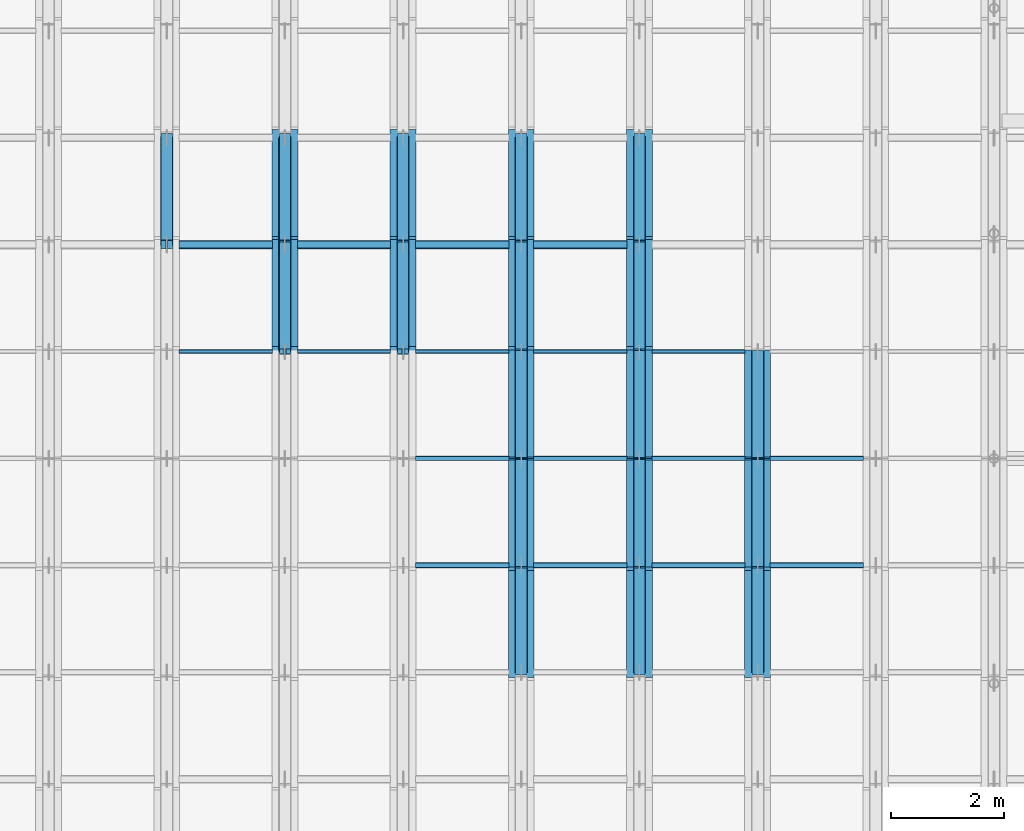
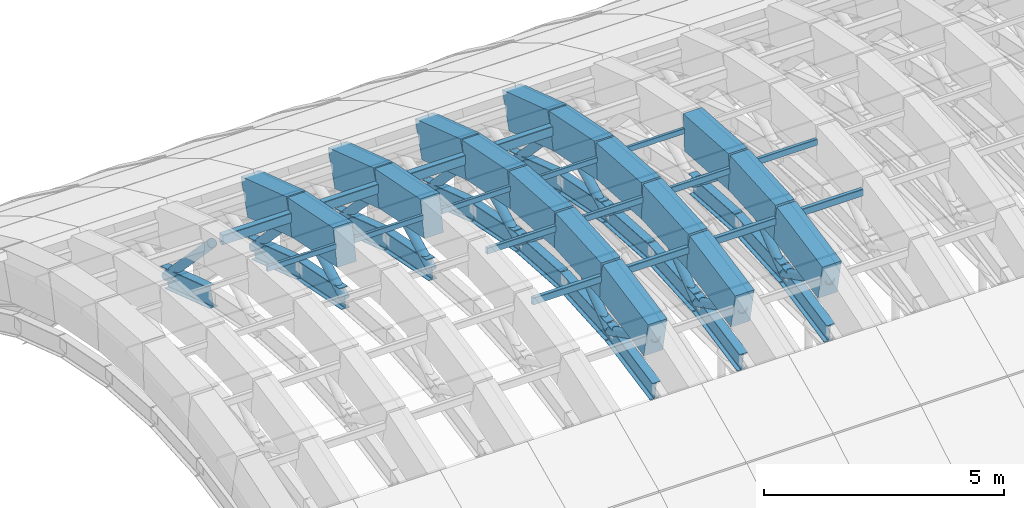
# One storey, part 12 of 67: 35 beams, 35 members.
"""IFC4 building model written with IfcOpenShell, lengths in metres."""

from ifc_helpers import new_model, si_unit, direction, frame, origin, origin_2d, place, context, subcontext, project, spatial, rectangle, hollow_rectangle, hollow_circle, i_section, extrude, material, material_profile, profile_set, type_object, element, save


model = new_model("IFC4")

# Units and contexts
model_context = context("Model", 3, precision=1e-05, world=origin(), true_north=direction((0.0, 1.0)))
body_context = subcontext(model_context, "Body", "Model", "MODEL_VIEW")
ifc_project = project(units=[si_unit("LENGTHUNIT", "METRE"), si_unit("AREAUNIT", "SQUARE_METRE"), si_unit("VOLUMEUNIT", "CUBIC_METRE"), si_unit("PLANEANGLEUNIT", "RADIAN"), si_unit("MASSUNIT", "GRAM", prefix="KILO")], contexts=[model_context])

# Site, building, storey
site_placement = place(None, origin())
site = spatial("IfcSite", under=ifc_project, at=site_placement, CompositionType="ELEMENT")
building_placement = place(site_placement, origin())
building = spatial("IfcBuilding", under=site, at=building_placement, Name="Shengluoqiao Park Theatre", CompositionType="ELEMENT")
storey_placement = place(building_placement, frame((0.0, 0.0, 28.60009765625)))
storey = spatial("IfcBuildingStorey", under=building, at=storey_placement, Name="Roof", CompositionType="ELEMENT", Elevation=28.60009765625)

# Beams
ifc_material_1 = material(Name="Concrete C50", Category="concrete")
ifc_material_profile_1 = material_profile(ifc_material_1, rectangle(XDim=0.4599609375, YDim=0.919921875, at=origin_2d()), Name="RC ARCH 460x920")
ifc_profile_set_1 = profile_set([ifc_material_profile_1], Name="Concrete C50")
beam_type_1 = type_object("IfcBeamType", Name="STR-BM-AR-4609", PredefinedType="BEAM", material=ifc_profile_set_1)
beam_1_placement = place(storey_placement, frame((50.699951171875, 96.89990234375, 2.453857421875), z_axis=(0.0, 0.980788534345, -0.195073962632), x_axis=(-1.0, 0.0, 0.0)))
element("IfcBeam", 1, at=beam_1_placement, inside=storey, type_object=beam_type_1, Name="Barrel-Shell Arch Rib R04-S12", PredefinedType="BEAM", context=body_context, shape_type="SweptSolid", body=[
    extrude(rectangle(XDim=0.4599609375, YDim=0.919921875, at=origin_2d()), origin(), (0.0, 0.0, 1.0), 1.937255859375),
])
beam_2_placement = place(storey_placement, frame((50.699951171875, 98.800048828125, 2.075927734375), z_axis=(0.0, 0.949157901431, -0.314800378257), x_axis=(-1.0, 0.0, 0.0)))
element("IfcBeam", 2, at=beam_2_placement, inside=storey, type_object=beam_type_1, Name="Barrel-Shell Arch Rib R04-S13", PredefinedType="BEAM", context=body_context, shape_type="SweptSolid", body=[
    extrude(rectangle(XDim=0.4599609375, YDim=0.919921875, at=origin_2d()), origin(), (0.0, 0.0, 1.0), 2.001708984375),
])
beam_3_placement = place(storey_placement, frame((52.800048828125, 96.89990234375, 2.453857421875), z_axis=(0.0, 0.980788534345, -0.195073962632), x_axis=(-1.0, 0.0, 0.0)))
element("IfcBeam", 3, at=beam_3_placement, inside=storey, type_object=beam_type_1, Name="Barrel-Shell Arch Rib R05-S12", PredefinedType="BEAM", context=body_context, shape_type="SweptSolid", body=[
    extrude(rectangle(XDim=0.4599609375, YDim=0.919921875, at=origin_2d()), origin(), (0.0, 0.0, 1.0), 1.937255859375),
])
beam_4_placement = place(storey_placement, frame((52.800048828125, 98.800048828125, 2.075927734375), z_axis=(0.0, 0.949157901431, -0.314800378257), x_axis=(-1.0, 0.0, 0.0)))
element("IfcBeam", 4, at=beam_4_placement, inside=storey, type_object=beam_type_1, Name="Barrel-Shell Arch Rib R05-S13", PredefinedType="BEAM", context=body_context, shape_type="SweptSolid", body=[
    extrude(rectangle(XDim=0.4599609375, YDim=0.919921875, at=origin_2d()), origin(), (0.0, 0.0, 1.0), 2.001708984375),
])
beam_5_placement = place(storey_placement, frame((54.89990234375, 91.199951171875, 2.075927734375), z_axis=(0.0, 0.980788534345, 0.195073962632), x_axis=(-1.0, 0.0, 0.0)))
element("IfcBeam", 5, at=beam_5_placement, inside=storey, type_object=beam_type_1, Name="Barrel-Shell Arch Rib R06-S09", PredefinedType="BEAM", context=body_context, shape_type="SweptSolid", body=[
    extrude(rectangle(XDim=0.4599609375, YDim=0.919921875, at=origin_2d()), origin(), (0.0, 0.0, 1.0), 1.937255859375),
])
for number, where, z_axis, x_axis, name in (
    (6, (54.89990234375, 93.10009765625, 2.453857421875), (0.0, 0.997808922354, 0.066161578506), (-1.0, 0.0, 0.0), "Barrel-Shell Arch Rib R06-S10"),
    (7, (54.89990234375, 95.0, 2.579833984375), (0.0, 0.997808922354, -0.066161578506), (-1.0, 0.0, 0.0), "Barrel-Shell Arch Rib R06-S11"),
):
    element("IfcBeam", number, at=place(storey_placement, frame(where, z_axis=z_axis, x_axis=x_axis)), inside=storey, type_object=beam_type_1, Name=name, PredefinedType="BEAM", context=body_context, shape_type="SweptSolid", body=[
        extrude(rectangle(XDim=0.4599609375, YDim=0.919921875, at=origin_2d()), origin(), (0.0, 0.0, 1.0), 1.904052734375),
    ])
beam_6_placement = place(storey_placement, frame((54.89990234375, 96.89990234375, 2.453857421875), z_axis=(0.0, 0.980788534345, -0.195073962632), x_axis=(-1.0, 0.0, 0.0)))
element("IfcBeam", 8, at=beam_6_placement, inside=storey, type_object=beam_type_1, Name="Barrel-Shell Arch Rib R06-S12", PredefinedType="BEAM", context=body_context, shape_type="SweptSolid", body=[
    extrude(rectangle(XDim=0.4599609375, YDim=0.919921875, at=origin_2d()), origin(), (0.0, 0.0, 1.0), 1.937255859375),
])
beam_7_placement = place(storey_placement, frame((54.89990234375, 98.800048828125, 2.075927734375), z_axis=(0.0, 0.949157901431, -0.314800378257), x_axis=(-1.0, 0.0, 0.0)))
element("IfcBeam", 9, at=beam_7_placement, inside=storey, type_object=beam_type_1, Name="Barrel-Shell Arch Rib R06-S13", PredefinedType="BEAM", context=body_context, shape_type="SweptSolid", body=[
    extrude(rectangle(XDim=0.4599609375, YDim=0.919921875, at=origin_2d()), origin(), (0.0, 0.0, 1.0), 2.001708984375),
])
beam_8_placement = place(storey_placement, frame((57.0, 91.199951171875, 2.075927734375), z_axis=(0.0, 0.980788534345, 0.195073962632), x_axis=(-1.0, 0.0, 0.0)))
element("IfcBeam", 10, at=beam_8_placement, inside=storey, type_object=beam_type_1, Name="Barrel-Shell Arch Rib R07-S09", PredefinedType="BEAM", context=body_context, shape_type="SweptSolid", body=[
    extrude(rectangle(XDim=0.4599609375, YDim=0.919921875, at=origin_2d()), origin(), (0.0, 0.0, 1.0), 1.937255859375),
])
for number, where, z_axis, x_axis, name in (
    (11, (57.0, 93.10009765625, 2.453857421875), (0.0, 0.997808922354, 0.066161578506), (-1.0, 0.0, 0.0), "Barrel-Shell Arch Rib R07-S10"),
    (12, (57.0, 95.0, 2.579833984375), (0.0, 0.997808922354, -0.066161578506), (-1.0, 0.0, 0.0), "Barrel-Shell Arch Rib R07-S11"),
):
    element("IfcBeam", number, at=place(storey_placement, frame(where, z_axis=z_axis, x_axis=x_axis)), inside=storey, type_object=beam_type_1, Name=name, PredefinedType="BEAM", context=body_context, shape_type="SweptSolid", body=[
        extrude(rectangle(XDim=0.4599609375, YDim=0.919921875, at=origin_2d()), origin(), (0.0, 0.0, 1.0), 1.904052734375),
    ])
beam_9_placement = place(storey_placement, frame((57.0, 96.89990234375, 2.453857421875), z_axis=(0.0, 0.980788534345, -0.195073962632), x_axis=(-1.0, 0.0, 0.0)))
element("IfcBeam", 13, at=beam_9_placement, inside=storey, type_object=beam_type_1, Name="Barrel-Shell Arch Rib R07-S12", PredefinedType="BEAM", context=body_context, shape_type="SweptSolid", body=[
    extrude(rectangle(XDim=0.4599609375, YDim=0.919921875, at=origin_2d()), origin(), (0.0, 0.0, 1.0), 1.937255859375),
])
beam_10_placement = place(storey_placement, frame((57.0, 98.800048828125, 2.075927734375), z_axis=(0.0, 0.949157901431, -0.314800378257), x_axis=(-1.0, 0.0, 0.0)))
element("IfcBeam", 14, at=beam_10_placement, inside=storey, type_object=beam_type_1, Name="Barrel-Shell Arch Rib R07-S13", PredefinedType="BEAM", context=body_context, shape_type="SweptSolid", body=[
    extrude(rectangle(XDim=0.4599609375, YDim=0.919921875, at=origin_2d()), origin(), (0.0, 0.0, 1.0), 2.001708984375),
])
beam_11_placement = place(storey_placement, frame((59.10009765625, 91.199951171875, 2.075927734375), z_axis=(0.0, 0.980788534345, 0.195073962632), x_axis=(-1.0, 0.0, 0.0)))
element("IfcBeam", 15, at=beam_11_placement, inside=storey, type_object=beam_type_1, Name="Barrel-Shell Arch Rib R08-S09", PredefinedType="BEAM", context=body_context, shape_type="SweptSolid", body=[
    extrude(rectangle(XDim=0.4599609375, YDim=0.919921875, at=origin_2d()), origin(), (0.0, 0.0, 1.0), 1.937255859375),
])
for number, where, z_axis, x_axis, name in (
    (16, (59.10009765625, 93.10009765625, 2.453857421875), (0.0, 0.997808922354, 0.066161578506), (-1.0, 0.0, 0.0), "Barrel-Shell Arch Rib R08-S10"),
    (17, (59.10009765625, 95.0, 2.579833984375), (0.0, 0.997808922354, -0.066161578506), (-1.0, 0.0, 0.0), "Barrel-Shell Arch Rib R08-S11"),
):
    element("IfcBeam", number, at=place(storey_placement, frame(where, z_axis=z_axis, x_axis=x_axis)), inside=storey, type_object=beam_type_1, Name=name, PredefinedType="BEAM", context=body_context, shape_type="SweptSolid", body=[
        extrude(rectangle(XDim=0.4599609375, YDim=0.919921875, at=origin_2d()), origin(), (0.0, 0.0, 1.0), 1.904052734375),
    ])
ifc_material_2 = material(Name="Steel Q355", Category="steel")
ifc_material_profile_2 = material_profile(ifc_material_2, i_section(OverallWidth=0.199951171875, OverallDepth=0.5, WebThickness=0.010009765625, FlangeThickness=0.01611328125, FilletRadius=0.01806640625, at=origin_2d()), Name="HN 500x200x10x16")
ifc_profile_set_2 = profile_set([ifc_material_profile_2], Name="Steel Q355")
beam_type_2 = type_object("IfcBeamType", Name="STR-BM-J-HN500", PredefinedType="JOIST", material=ifc_profile_set_2)
beam_12_placement = place(storey_placement, frame((48.60009765625, 98.800048828125, 0.7158203125), z_axis=(0.0, 0.949194340043, -0.314690490531), x_axis=(-1.0, 0.0, 0.0)))
element("IfcBeam", 18, at=beam_12_placement, inside=storey, type_object=beam_type_2, Name="Barrel-Shell Lower Arch Chord R03-S13", PredefinedType="JOIST", context=body_context, shape_type="SweptSolid", body=[
    extrude(i_section(OverallWidth=0.199951171875, OverallDepth=0.5, WebThickness=0.010009765625, FlangeThickness=0.01611328125, FilletRadius=0.01806640625, at=origin_2d()), origin(), (0.0, 0.0, 1.0), 2.001708984375),
])
beam_13_placement = place(storey_placement, frame((50.699951171875, 96.89990234375, 1.093994140625), z_axis=(0.0, 0.980764417124, -0.19519517951), x_axis=(-1.0, 0.0, 0.0)))
element("IfcBeam", 19, at=beam_13_placement, inside=storey, type_object=beam_type_2, Name="Barrel-Shell Lower Arch Chord R04-S12", PredefinedType="JOIST", context=body_context, shape_type="SweptSolid", body=[
    extrude(i_section(OverallWidth=0.199951171875, OverallDepth=0.5, WebThickness=0.010009765625, FlangeThickness=0.01611328125, FilletRadius=0.01806640625, at=origin_2d()), origin(), (0.0, 0.0, 1.0), 1.9375),
])
beam_14_placement = place(storey_placement, frame((50.699951171875, 98.800048828125, 0.7158203125), z_axis=(0.0, 0.949194340043, -0.314690490531), x_axis=(-1.0, 0.0, 0.0)))
element("IfcBeam", 20, at=beam_14_placement, inside=storey, type_object=beam_type_2, Name="Barrel-Shell Lower Arch Chord R04-S13", PredefinedType="JOIST", context=body_context, shape_type="SweptSolid", body=[
    extrude(i_section(OverallWidth=0.199951171875, OverallDepth=0.5, WebThickness=0.010009765625, FlangeThickness=0.01611328125, FilletRadius=0.01806640625, at=origin_2d()), origin(), (0.0, 0.0, 1.0), 2.001708984375),
])
beam_15_placement = place(storey_placement, frame((52.800048828125, 96.89990234375, 1.093994140625), z_axis=(0.0, 0.980764417124, -0.19519517951), x_axis=(-1.0, 0.0, 0.0)))
element("IfcBeam", 21, at=beam_15_placement, inside=storey, type_object=beam_type_2, Name="Barrel-Shell Lower Arch Chord R05-S12", PredefinedType="JOIST", context=body_context, shape_type="SweptSolid", body=[
    extrude(i_section(OverallWidth=0.199951171875, OverallDepth=0.5, WebThickness=0.010009765625, FlangeThickness=0.01611328125, FilletRadius=0.01806640625, at=origin_2d()), origin(), (0.0, 0.0, 1.0), 1.9375),
])
beam_16_placement = place(storey_placement, frame((52.800048828125, 98.800048828125, 0.7158203125), z_axis=(0.0, 0.949194340043, -0.314690490531), x_axis=(-1.0, 0.0, 0.0)))
element("IfcBeam", 22, at=beam_16_placement, inside=storey, type_object=beam_type_2, Name="Barrel-Shell Lower Arch Chord R05-S13", PredefinedType="JOIST", context=body_context, shape_type="SweptSolid", body=[
    extrude(i_section(OverallWidth=0.199951171875, OverallDepth=0.5, WebThickness=0.010009765625, FlangeThickness=0.01611328125, FilletRadius=0.01806640625, at=origin_2d()), origin(), (0.0, 0.0, 1.0), 2.001708984375),
])
beam_17_placement = place(storey_placement, frame((54.89990234375, 91.199951171875, 0.7158203125), z_axis=(0.0, 0.980764417124, 0.19519517951), x_axis=(-1.0, 0.0, 0.0)))
element("IfcBeam", 23, at=beam_17_placement, inside=storey, type_object=beam_type_2, Name="Barrel-Shell Lower Arch Chord R06-S09", PredefinedType="JOIST", context=body_context, shape_type="SweptSolid", body=[
    extrude(i_section(OverallWidth=0.199951171875, OverallDepth=0.5, WebThickness=0.010009765625, FlangeThickness=0.01611328125, FilletRadius=0.01806640625, at=origin_2d()), origin(), (0.0, 0.0, 1.0), 1.9375),
])
for number, where, z_axis, x_axis, name in (
    (24, (54.89990234375, 93.10009765625, 1.093994140625), (0.0, 0.997808922354, 0.066161578506), (-1.0, 0.0, 0.0), "Barrel-Shell Lower Arch Chord R06-S10"),
    (25, (54.89990234375, 95.0, 1.219970703125), (0.0, 0.997808922354, -0.066161578506), (-1.0, 0.0, 0.0), "Barrel-Shell Lower Arch Chord R06-S11"),
):
    element("IfcBeam", number, at=place(storey_placement, frame(where, z_axis=z_axis, x_axis=x_axis)), inside=storey, type_object=beam_type_2, Name=name, PredefinedType="JOIST", context=body_context, shape_type="SweptSolid", body=[
        extrude(i_section(OverallWidth=0.199951171875, OverallDepth=0.5, WebThickness=0.010009765625, FlangeThickness=0.01611328125, FilletRadius=0.01806640625, at=origin_2d()), origin(), (0.0, 0.0, 1.0), 1.904052734375),
    ])
beam_18_placement = place(storey_placement, frame((54.89990234375, 96.89990234375, 1.093994140625), z_axis=(0.0, 0.980764417124, -0.19519517951), x_axis=(-1.0, 0.0, 0.0)))
element("IfcBeam", 26, at=beam_18_placement, inside=storey, type_object=beam_type_2, Name="Barrel-Shell Lower Arch Chord R06-S12", PredefinedType="JOIST", context=body_context, shape_type="SweptSolid", body=[
    extrude(i_section(OverallWidth=0.199951171875, OverallDepth=0.5, WebThickness=0.010009765625, FlangeThickness=0.01611328125, FilletRadius=0.01806640625, at=origin_2d()), origin(), (0.0, 0.0, 1.0), 1.9375),
])
beam_19_placement = place(storey_placement, frame((54.89990234375, 98.800048828125, 0.7158203125), z_axis=(0.0, 0.949194340043, -0.314690490531), x_axis=(-1.0, 0.0, 0.0)))
element("IfcBeam", 27, at=beam_19_placement, inside=storey, type_object=beam_type_2, Name="Barrel-Shell Lower Arch Chord R06-S13", PredefinedType="JOIST", context=body_context, shape_type="SweptSolid", body=[
    extrude(i_section(OverallWidth=0.199951171875, OverallDepth=0.5, WebThickness=0.010009765625, FlangeThickness=0.01611328125, FilletRadius=0.01806640625, at=origin_2d()), origin(), (0.0, 0.0, 1.0), 2.001708984375),
])
beam_20_placement = place(storey_placement, frame((57.0, 91.199951171875, 0.7158203125), z_axis=(0.0, 0.980764417124, 0.19519517951), x_axis=(-1.0, 0.0, 0.0)))
element("IfcBeam", 28, at=beam_20_placement, inside=storey, type_object=beam_type_2, Name="Barrel-Shell Lower Arch Chord R07-S09", PredefinedType="JOIST", context=body_context, shape_type="SweptSolid", body=[
    extrude(i_section(OverallWidth=0.199951171875, OverallDepth=0.5, WebThickness=0.010009765625, FlangeThickness=0.01611328125, FilletRadius=0.01806640625, at=origin_2d()), origin(), (0.0, 0.0, 1.0), 1.9375),
])
for number, where, z_axis, x_axis, name in (
    (29, (57.0, 93.10009765625, 1.093994140625), (0.0, 0.997808922354, 0.066161578506), (-1.0, 0.0, 0.0), "Barrel-Shell Lower Arch Chord R07-S10"),
    (30, (57.0, 95.0, 1.219970703125), (0.0, 0.997808922354, -0.066161578506), (-1.0, 0.0, 0.0), "Barrel-Shell Lower Arch Chord R07-S11"),
):
    element("IfcBeam", number, at=place(storey_placement, frame(where, z_axis=z_axis, x_axis=x_axis)), inside=storey, type_object=beam_type_2, Name=name, PredefinedType="JOIST", context=body_context, shape_type="SweptSolid", body=[
        extrude(i_section(OverallWidth=0.199951171875, OverallDepth=0.5, WebThickness=0.010009765625, FlangeThickness=0.01611328125, FilletRadius=0.01806640625, at=origin_2d()), origin(), (0.0, 0.0, 1.0), 1.904052734375),
    ])
beam_21_placement = place(storey_placement, frame((57.0, 96.89990234375, 1.093994140625), z_axis=(0.0, 0.980764417124, -0.19519517951), x_axis=(-1.0, 0.0, 0.0)))
element("IfcBeam", 31, at=beam_21_placement, inside=storey, type_object=beam_type_2, Name="Barrel-Shell Lower Arch Chord R07-S12", PredefinedType="JOIST", context=body_context, shape_type="SweptSolid", body=[
    extrude(i_section(OverallWidth=0.199951171875, OverallDepth=0.5, WebThickness=0.010009765625, FlangeThickness=0.01611328125, FilletRadius=0.01806640625, at=origin_2d()), origin(), (0.0, 0.0, 1.0), 1.9375),
])
beam_22_placement = place(storey_placement, frame((57.0, 98.800048828125, 0.7158203125), z_axis=(0.0, 0.949194340043, -0.314690490531), x_axis=(-1.0, 0.0, 0.0)))
element("IfcBeam", 32, at=beam_22_placement, inside=storey, type_object=beam_type_2, Name="Barrel-Shell Lower Arch Chord R07-S13", PredefinedType="JOIST", context=body_context, shape_type="SweptSolid", body=[
    extrude(i_section(OverallWidth=0.199951171875, OverallDepth=0.5, WebThickness=0.010009765625, FlangeThickness=0.01611328125, FilletRadius=0.01806640625, at=origin_2d()), origin(), (0.0, 0.0, 1.0), 2.001708984375),
])
beam_23_placement = place(storey_placement, frame((59.10009765625, 91.199951171875, 0.7158203125), z_axis=(0.0, 0.980764417124, 0.19519517951), x_axis=(-1.0, 0.0, 0.0)))
element("IfcBeam", 33, at=beam_23_placement, inside=storey, type_object=beam_type_2, Name="Barrel-Shell Lower Arch Chord R08-S09", PredefinedType="JOIST", context=body_context, shape_type="SweptSolid", body=[
    extrude(i_section(OverallWidth=0.199951171875, OverallDepth=0.5, WebThickness=0.010009765625, FlangeThickness=0.01611328125, FilletRadius=0.01806640625, at=origin_2d()), origin(), (0.0, 0.0, 1.0), 1.9375),
])
for number, where, z_axis, x_axis, name in (
    (34, (59.10009765625, 93.10009765625, 1.093994140625), (0.0, 0.997808922354, 0.066161578506), (-1.0, 0.0, 0.0), "Barrel-Shell Lower Arch Chord R08-S10"),
    (35, (59.10009765625, 95.0, 1.219970703125), (0.0, 0.997808922354, -0.066161578506), (-1.0, 0.0, 0.0), "Barrel-Shell Lower Arch Chord R08-S11"),
):
    element("IfcBeam", number, at=place(storey_placement, frame(where, z_axis=z_axis, x_axis=x_axis)), inside=storey, type_object=beam_type_2, Name=name, PredefinedType="JOIST", context=body_context, shape_type="SweptSolid", body=[
        extrude(i_section(OverallWidth=0.199951171875, OverallDepth=0.5, WebThickness=0.010009765625, FlangeThickness=0.01611328125, FilletRadius=0.01806640625, at=origin_2d()), origin(), (0.0, 0.0, 1.0), 1.904052734375),
    ])

# Members
ifc_material_profile_3 = material_profile(ifc_material_2, hollow_circle(Radius=0.109619140625, WallThickness=0.010009765625, at=origin_2d()), Name="CHS 219x10")
ifc_profile_set_3 = profile_set([ifc_material_profile_3], Name="Steel Q355")
member_type_1 = type_object("IfcMemberType", Name="STR-MEM-BRC-219", PredefinedType="BRACE", material=ifc_profile_set_3)
member_1_placement = place(storey_placement, frame((48.60009765625, 98.800048828125, 2.075927734375), z_axis=(0.0, 0.690545389436, -0.723289060562), x_axis=(-1.0, 0.0, 0.0)))
element("IfcMember", 36, at=member_1_placement, inside=storey, type_object=member_type_1, Name="Barrel-Shell Arch Truss Web 0053", PredefinedType="BRACE", context=body_context, shape_type="SweptSolid", body=[
    extrude(hollow_circle(Radius=0.109619140625, WallThickness=0.010009765625, at=origin_2d()), origin(), (0.0, 0.0, 1.0), 2.751220703125),
])
member_2_placement = place(storey_placement, frame((50.699951171875, 96.89990234375, 1.093994140625), z_axis=(0.0, 0.888389440766, 0.459090624535), x_axis=(-1.0, 0.0, 0.0)))
element("IfcMember", 37, at=member_2_placement, inside=storey, type_object=member_type_1, Name="Barrel-Shell Arch Truss Web 0072", PredefinedType="BRACE", context=body_context, shape_type="SweptSolid", body=[
    extrude(hollow_circle(Radius=0.109619140625, WallThickness=0.010009765625, at=origin_2d()), origin(), (0.0, 0.0, 1.0), 2.138916015625),
])
member_3_placement = place(storey_placement, frame((50.699951171875, 98.800048828125, 2.075927734375), z_axis=(0.0, 0.690545389436, -0.723289060562), x_axis=(-1.0, 0.0, 0.0)))
element("IfcMember", 38, at=member_3_placement, inside=storey, type_object=member_type_1, Name="Barrel-Shell Arch Truss Web 0073", PredefinedType="BRACE", context=body_context, shape_type="SweptSolid", body=[
    extrude(hollow_circle(Radius=0.109619140625, WallThickness=0.010009765625, at=origin_2d()), origin(), (0.0, 0.0, 1.0), 2.751220703125),
])
member_4_placement = place(storey_placement, frame((52.800048828125, 96.89990234375, 1.093994140625), z_axis=(0.0, 0.888389440766, 0.459090624535), x_axis=(-1.0, 0.0, 0.0)))
element("IfcMember", 39, at=member_4_placement, inside=storey, type_object=member_type_1, Name="Barrel-Shell Arch Truss Web 0092", PredefinedType="BRACE", context=body_context, shape_type="SweptSolid", body=[
    extrude(hollow_circle(Radius=0.109619140625, WallThickness=0.010009765625, at=origin_2d()), origin(), (0.0, 0.0, 1.0), 2.138916015625),
])
member_5_placement = place(storey_placement, frame((52.800048828125, 98.800048828125, 2.075927734375), z_axis=(0.0, 0.690545389436, -0.723289060562), x_axis=(-1.0, 0.0, 0.0)))
element("IfcMember", 40, at=member_5_placement, inside=storey, type_object=member_type_1, Name="Barrel-Shell Arch Truss Web 0093", PredefinedType="BRACE", context=body_context, shape_type="SweptSolid", body=[
    extrude(hollow_circle(Radius=0.109619140625, WallThickness=0.010009765625, at=origin_2d()), origin(), (0.0, 0.0, 1.0), 2.751220703125),
])
member_6_placement = place(storey_placement, frame((54.89990234375, 91.199951171875, 2.075927734375), z_axis=(0.0, 0.888389440766, -0.459090624535), x_axis=(-1.0, 0.0, 0.0)))
element("IfcMember", 41, at=member_6_placement, inside=storey, type_object=member_type_1, Name="Barrel-Shell Arch Truss Web 0109", PredefinedType="BRACE", context=body_context, shape_type="SweptSolid", body=[
    extrude(hollow_circle(Radius=0.109619140625, WallThickness=0.010009765625, at=origin_2d()), origin(), (0.0, 0.0, 1.0), 2.138916015625),
])
for number, where, z_axis, x_axis, name in (
    (42, (54.89990234375, 93.10009765625, 1.093994140625), (0.0, 0.787714283449, 0.616040751615), (-1.0, 0.0, 0.0), "Barrel-Shell Arch Truss Web 0110"),
    (43, (54.89990234375, 95.0, 2.579833984375), (0.0, 0.787714283449, -0.616040751615), (-1.0, 0.0, 0.0), "Barrel-Shell Arch Truss Web 0111"),
):
    element("IfcMember", number, at=place(storey_placement, frame(where, z_axis=z_axis, x_axis=x_axis)), inside=storey, type_object=member_type_1, Name=name, PredefinedType="BRACE", context=body_context, shape_type="SweptSolid", body=[
        extrude(hollow_circle(Radius=0.109619140625, WallThickness=0.010009765625, at=origin_2d()), origin(), (0.0, 0.0, 1.0), 2.411865234375),
    ])
member_7_placement = place(storey_placement, frame((54.89990234375, 96.89990234375, 1.093994140625), z_axis=(0.0, 0.888389440766, 0.459090624535), x_axis=(-1.0, 0.0, 0.0)))
element("IfcMember", 44, at=member_7_placement, inside=storey, type_object=member_type_1, Name="Barrel-Shell Arch Truss Web 0112", PredefinedType="BRACE", context=body_context, shape_type="SweptSolid", body=[
    extrude(hollow_circle(Radius=0.109619140625, WallThickness=0.010009765625, at=origin_2d()), origin(), (0.0, 0.0, 1.0), 2.138916015625),
])
member_8_placement = place(storey_placement, frame((54.89990234375, 98.800048828125, 2.075927734375), z_axis=(0.0, 0.690545389436, -0.723289060562), x_axis=(-1.0, 0.0, 0.0)))
element("IfcMember", 45, at=member_8_placement, inside=storey, type_object=member_type_1, Name="Barrel-Shell Arch Truss Web 0113", PredefinedType="BRACE", context=body_context, shape_type="SweptSolid", body=[
    extrude(hollow_circle(Radius=0.109619140625, WallThickness=0.010009765625, at=origin_2d()), origin(), (0.0, 0.0, 1.0), 2.751220703125),
])
member_9_placement = place(storey_placement, frame((57.0, 91.199951171875, 2.075927734375), z_axis=(0.0, 0.888389440766, -0.459090624535), x_axis=(-1.0, 0.0, 0.0)))
element("IfcMember", 46, at=member_9_placement, inside=storey, type_object=member_type_1, Name="Barrel-Shell Arch Truss Web 0129", PredefinedType="BRACE", context=body_context, shape_type="SweptSolid", body=[
    extrude(hollow_circle(Radius=0.109619140625, WallThickness=0.010009765625, at=origin_2d()), origin(), (0.0, 0.0, 1.0), 2.138916015625),
])
for number, where, z_axis, x_axis, name in (
    (47, (57.0, 93.10009765625, 1.093994140625), (0.0, 0.787714283449, 0.616040751615), (-1.0, 0.0, 0.0), "Barrel-Shell Arch Truss Web 0130"),
    (48, (57.0, 95.0, 2.579833984375), (0.0, 0.787714283449, -0.616040751615), (-1.0, 0.0, 0.0), "Barrel-Shell Arch Truss Web 0131"),
):
    element("IfcMember", number, at=place(storey_placement, frame(where, z_axis=z_axis, x_axis=x_axis)), inside=storey, type_object=member_type_1, Name=name, PredefinedType="BRACE", context=body_context, shape_type="SweptSolid", body=[
        extrude(hollow_circle(Radius=0.109619140625, WallThickness=0.010009765625, at=origin_2d()), origin(), (0.0, 0.0, 1.0), 2.411865234375),
    ])
member_10_placement = place(storey_placement, frame((57.0, 96.89990234375, 1.093994140625), z_axis=(0.0, 0.888389440766, 0.459090624535), x_axis=(-1.0, 0.0, 0.0)))
element("IfcMember", 49, at=member_10_placement, inside=storey, type_object=member_type_1, Name="Barrel-Shell Arch Truss Web 0132", PredefinedType="BRACE", context=body_context, shape_type="SweptSolid", body=[
    extrude(hollow_circle(Radius=0.109619140625, WallThickness=0.010009765625, at=origin_2d()), origin(), (0.0, 0.0, 1.0), 2.138916015625),
])
member_11_placement = place(storey_placement, frame((57.0, 98.800048828125, 2.075927734375), z_axis=(0.0, 0.690545389436, -0.723289060562), x_axis=(-1.0, 0.0, 0.0)))
element("IfcMember", 50, at=member_11_placement, inside=storey, type_object=member_type_1, Name="Barrel-Shell Arch Truss Web 0133", PredefinedType="BRACE", context=body_context, shape_type="SweptSolid", body=[
    extrude(hollow_circle(Radius=0.109619140625, WallThickness=0.010009765625, at=origin_2d()), origin(), (0.0, 0.0, 1.0), 2.751220703125),
])
member_12_placement = place(storey_placement, frame((59.10009765625, 91.199951171875, 2.075927734375), z_axis=(0.0, 0.888389440766, -0.459090624535), x_axis=(-1.0, 0.0, 0.0)))
element("IfcMember", 51, at=member_12_placement, inside=storey, type_object=member_type_1, Name="Barrel-Shell Arch Truss Web 0149", PredefinedType="BRACE", context=body_context, shape_type="SweptSolid", body=[
    extrude(hollow_circle(Radius=0.109619140625, WallThickness=0.010009765625, at=origin_2d()), origin(), (0.0, 0.0, 1.0), 2.138916015625),
])
for number, where, z_axis, x_axis, name in (
    (52, (59.10009765625, 93.10009765625, 1.093994140625), (0.0, 0.787714283449, 0.616040751615), (-1.0, 0.0, 0.0), "Barrel-Shell Arch Truss Web 0150"),
    (53, (59.10009765625, 95.0, 2.579833984375), (0.0, 0.787714283449, -0.616040751615), (-1.0, 0.0, 0.0), "Barrel-Shell Arch Truss Web 0151"),
):
    element("IfcMember", number, at=place(storey_placement, frame(where, z_axis=z_axis, x_axis=x_axis)), inside=storey, type_object=member_type_1, Name=name, PredefinedType="BRACE", context=body_context, shape_type="SweptSolid", body=[
        extrude(hollow_circle(Radius=0.109619140625, WallThickness=0.010009765625, at=origin_2d()), origin(), (0.0, 0.0, 1.0), 2.411865234375),
    ])
ifc_material_profile_4 = material_profile(ifc_material_2, hollow_rectangle(XDim=0.070068359375, YDim=0.139892578125, WallThickness=0.006103515625, InnerFilletRadius=0.006103515625, OuterFilletRadius=0.011962890625, at=origin_2d()), Name="RHS 140x70x6")
ifc_profile_set_4 = profile_set([ifc_material_profile_4], Name="Steel Q355")
member_type_2 = type_object("IfcMemberType", Name="STR-MEM-PU-R140", PredefinedType="PURLIN", material=ifc_profile_set_4)
member_13_placement = place(storey_placement, frame((48.820068359375, 96.89990234375, 2.50390625), z_axis=(1.0, 0.0, 0.0), x_axis=(0.0, 1.0, 0.0)))
element("IfcMember", 54, at=member_13_placement, inside=storey, type_object=member_type_2, Name="Shell Longitudinal Purlin 0049", PredefinedType="PURLIN", context=body_context, shape_type="SweptSolid", body=[
    extrude(hollow_rectangle(XDim=0.070068359375, YDim=0.139892578125, WallThickness=0.006103515625, InnerFilletRadius=0.006103515625, OuterFilletRadius=0.011962890625, at=origin_2d()), origin(), (0.0, 0.0, 1.0), 1.659912109375),
])
member_14_placement = place(storey_placement, frame((50.919921875, 96.89990234375, 2.50390625), z_axis=(1.0, 0.0, 0.0), x_axis=(0.0, 1.0, 0.0)))
element("IfcMember", 55, at=member_14_placement, inside=storey, type_object=member_type_2, Name="Shell Longitudinal Purlin 0068", PredefinedType="PURLIN", context=body_context, shape_type="SweptSolid", body=[
    extrude(hollow_rectangle(XDim=0.070068359375, YDim=0.139892578125, WallThickness=0.006103515625, InnerFilletRadius=0.006103515625, OuterFilletRadius=0.011962890625, at=origin_2d()), origin(), (0.0, 0.0, 1.0), 1.66015625),
])
for number, where, z_axis, x_axis, name in (
    (56, (53.02001953125, 96.89990234375, 2.50390625), (1.0, 0.0, 0.0), (0.0, 1.0, 0.0), "Shell Longitudinal Purlin 0087"),
    (57, (55.1201171875, 96.89990234375, 2.50390625), (1.0, 0.0, 0.0), (0.0, 1.0, 0.0), "Shell Longitudinal Purlin 0106"),
    (58, (57.219970703125, 96.89990234375, 2.50390625), (1.0, 0.0, 0.0), (0.0, 1.0, 0.0), "Shell Longitudinal Purlin 0125"),
):
    element("IfcMember", number, at=place(storey_placement, frame(where, z_axis=z_axis, x_axis=x_axis)), inside=storey, type_object=member_type_2, Name=name, PredefinedType="PURLIN", context=body_context, shape_type="SweptSolid", body=[
        extrude(hollow_rectangle(XDim=0.070068359375, YDim=0.139892578125, WallThickness=0.006103515625, InnerFilletRadius=0.006103515625, OuterFilletRadius=0.011962890625, at=origin_2d()), origin(), (0.0, 0.0, 1.0), 1.659912109375),
    ])
ifc_material_profile_5 = material_profile(ifc_material_2, hollow_rectangle(XDim=0.080078125, YDim=0.159912109375, WallThickness=0.006103515625, InnerFilletRadius=0.006103515625, OuterFilletRadius=0.011962890625, at=origin_2d()), Name="RHS 160x80x6")
ifc_profile_set_5 = profile_set([ifc_material_profile_5], Name="Steel Q355")
member_type_3 = type_object("IfcMemberType", Name="STR-MEM-PU-R160", PredefinedType="PURLIN", material=ifc_profile_set_5)
for number, where, z_axis, x_axis, name in (
    (59, (53.02001953125, 95.0, 2.639892578125), (1.0, 0.0, 0.0), (0.0, 1.0, 0.0), "Shell Longitudinal Purlin 0086"),
    (60, (55.1201171875, 95.0, 2.639892578125), (1.0, 0.0, 0.0), (0.0, 1.0, 0.0), "Shell Longitudinal Purlin 0105"),
    (61, (57.219970703125, 95.0, 2.639892578125), (1.0, 0.0, 0.0), (0.0, 1.0, 0.0), "Shell Longitudinal Purlin 0124"),
    (62, (59.320068359375, 95.0, 2.639892578125), (1.0, 0.0, 0.0), (0.0, 1.0, 0.0), "Shell Longitudinal Purlin 0143"),
):
    element("IfcMember", number, at=place(storey_placement, frame(where, z_axis=z_axis, x_axis=x_axis)), inside=storey, type_object=member_type_3, Name=name, PredefinedType="PURLIN", context=body_context, shape_type="SweptSolid", body=[
        extrude(hollow_rectangle(XDim=0.080078125, YDim=0.159912109375, WallThickness=0.006103515625, InnerFilletRadius=0.006103515625, OuterFilletRadius=0.011962890625, at=origin_2d()), origin(), (0.0, 0.0, 1.0), 1.659912109375),
    ])
ifc_material_profile_6 = material_profile(ifc_material_2, hollow_rectangle(XDim=0.10009765625, YDim=0.179931640625, WallThickness=0.008056640625, InnerFilletRadius=0.008056640625, OuterFilletRadius=0.01611328125, at=origin_2d()), Name="RHS 180x100x8")
ifc_profile_set_6 = profile_set([ifc_material_profile_6], Name="Steel Q355")
member_type_4 = type_object("IfcMemberType", Name="STR-MEM-PU-R180", PredefinedType="PURLIN", material=ifc_profile_set_6)
for number, where, z_axis, x_axis, name in (
    (63, (53.02001953125, 93.10009765625, 2.513916015625), (1.0, 0.0, 0.0), (0.0, 1.0, 0.0), "Shell Longitudinal Purlin 0085"),
    (64, (55.1201171875, 93.10009765625, 2.513916015625), (1.0, 0.0, 0.0), (0.0, 1.0, 0.0), "Shell Longitudinal Purlin 0104"),
    (65, (57.219970703125, 93.10009765625, 2.513916015625), (1.0, 0.0, 0.0), (0.0, 1.0, 0.0), "Shell Longitudinal Purlin 0123"),
    (66, (59.320068359375, 93.10009765625, 2.513916015625), (1.0, 0.0, 0.0), (0.0, 1.0, 0.0), "Shell Longitudinal Purlin 0142"),
):
    element("IfcMember", number, at=place(storey_placement, frame(where, z_axis=z_axis, x_axis=x_axis)), inside=storey, type_object=member_type_4, Name=name, PredefinedType="PURLIN", context=body_context, shape_type="SweptSolid", body=[
        extrude(hollow_rectangle(XDim=0.10009765625, YDim=0.179931640625, WallThickness=0.008056640625, InnerFilletRadius=0.008056640625, OuterFilletRadius=0.01611328125, at=origin_2d()), origin(), (0.0, 0.0, 1.0), 1.659912109375),
    ])
ifc_material_profile_7 = material_profile(ifc_material_2, hollow_rectangle(XDim=0.14990234375, YDim=0.25, WallThickness=0.010009765625, InnerFilletRadius=0.010009765625, OuterFilletRadius=0.02001953125, at=origin_2d()), Name="RHS 250x150x10")
ifc_profile_set_7 = profile_set([ifc_material_profile_7], Name="Steel Q355")
member_type_5 = type_object("IfcMemberType", Name="STR-MEM-PU-R250", PredefinedType="PURLIN", material=ifc_profile_set_7)
member_15_placement = place(storey_placement, frame((48.820068359375, 98.800048828125, 2.10595703125), z_axis=(1.0, 0.0, 0.0), x_axis=(0.0, 1.0, 0.0)))
element("IfcMember", 67, at=member_15_placement, inside=storey, type_object=member_type_5, Name="Shell Longitudinal Purlin 0050", PredefinedType="PURLIN", context=body_context, shape_type="SweptSolid", body=[
    extrude(hollow_rectangle(XDim=0.14990234375, YDim=0.25, WallThickness=0.010009765625, InnerFilletRadius=0.010009765625, OuterFilletRadius=0.02001953125, at=origin_2d()), origin(), (0.0, 0.0, 1.0), 1.659912109375),
])
member_16_placement = place(storey_placement, frame((50.919921875, 98.800048828125, 2.10595703125), z_axis=(1.0, 0.0, 0.0), x_axis=(0.0, 1.0, 0.0)))
element("IfcMember", 68, at=member_16_placement, inside=storey, type_object=member_type_5, Name="Shell Longitudinal Purlin 0069", PredefinedType="PURLIN", context=body_context, shape_type="SweptSolid", body=[
    extrude(hollow_rectangle(XDim=0.14990234375, YDim=0.25, WallThickness=0.010009765625, InnerFilletRadius=0.010009765625, OuterFilletRadius=0.02001953125, at=origin_2d()), origin(), (0.0, 0.0, 1.0), 1.66015625),
])
for number, where, z_axis, x_axis, name in (
    (69, (53.02001953125, 98.800048828125, 2.10595703125), (1.0, 0.0, 0.0), (0.0, 1.0, 0.0), "Shell Longitudinal Purlin 0088"),
    (70, (55.1201171875, 98.800048828125, 2.10595703125), (1.0, 0.0, 0.0), (0.0, 1.0, 0.0), "Shell Longitudinal Purlin 0107"),
):
    element("IfcMember", number, at=place(storey_placement, frame(where, z_axis=z_axis, x_axis=x_axis)), inside=storey, type_object=member_type_5, Name=name, PredefinedType="PURLIN", context=body_context, shape_type="SweptSolid", body=[
        extrude(hollow_rectangle(XDim=0.14990234375, YDim=0.25, WallThickness=0.010009765625, InnerFilletRadius=0.010009765625, OuterFilletRadius=0.02001953125, at=origin_2d()), origin(), (0.0, 0.0, 1.0), 1.659912109375),
    ])

save(model, "model.ifc")
